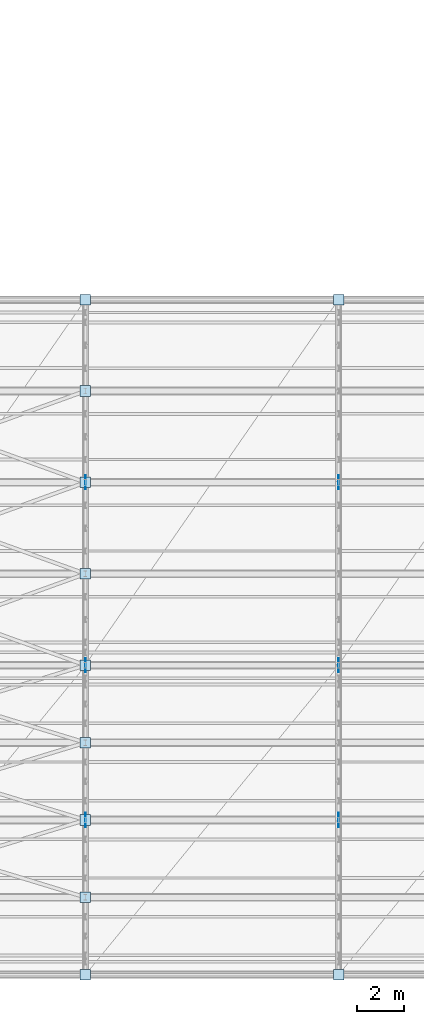
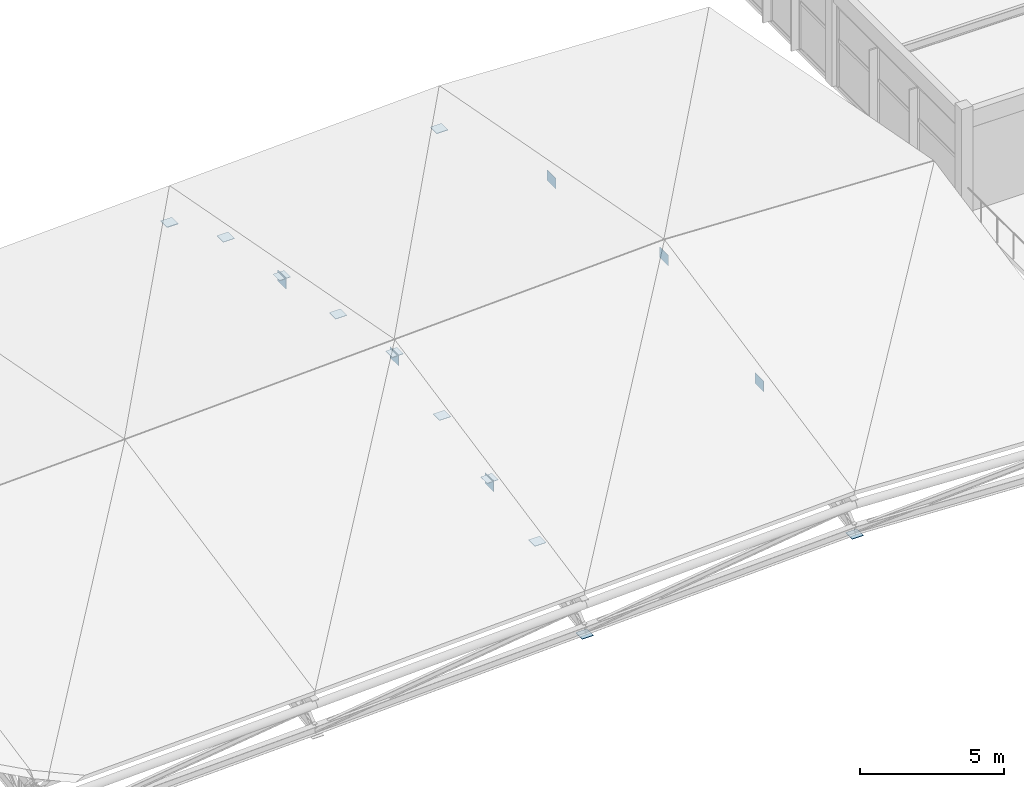
# One storey, part 64 of 89: 17 plates.
"""IFC4 building model written with IfcOpenShell, lengths in metres."""

from ifc_helpers import new_model, si_unit, direction, frame, origin, origin_2d, place, context, subcontext, project, spatial, rectangle, extrude, material, layer, layer_set, type_object, element, save


model = new_model("IFC4")

# Units and contexts
model_context = context("Model", 3, precision=1e-05, world=origin(), true_north=direction((0.0, 1.0)))
body_context = subcontext(model_context, "Body", "Model", "MODEL_VIEW")
ifc_project = project(units=[si_unit("LENGTHUNIT", "METRE"), si_unit("AREAUNIT", "SQUARE_METRE"), si_unit("VOLUMEUNIT", "CUBIC_METRE"), si_unit("PLANEANGLEUNIT", "RADIAN"), si_unit("MASSUNIT", "GRAM", prefix="KILO")], contexts=[model_context])

# Site, building, storey
site_placement = place(None, origin())
site = spatial("IfcSite", under=ifc_project, at=site_placement, CompositionType="ELEMENT")
building_placement = place(site_placement, origin())
building = spatial("IfcBuilding", under=site, at=building_placement, Name="Suirenkawa Promenade Aquatics Centre", CompositionType="ELEMENT")
storey_placement = place(building_placement, frame((0.0, 0.0, 9.60009765625)))
storey = spatial("IfcBuildingStorey", under=building, at=storey_placement, Name="L02", CompositionType="ELEMENT", Elevation=9.60009765625)

# Plates
ifc_material = material(Name="Steel IS 2062 E350 (Grade 350)", Category="steel")
ifc_layer_1 = layer(ifc_material, 0.02392578125, Name="Steel IS 2062 E350 (Grade 350)", Category="steel")
ifc_layer_set_1 = layer_set([ifc_layer_1], Name="Steel IS 2062 E350 (Grade 350)")
plate_type_1 = type_object("IfcPlateType", Name="PLT-BEAR-450x450x24", PredefinedType="SHEET", material=ifc_layer_set_1)
for number, where, z_axis, x_axis, name in (
    (1, (133.199951171875, 0.0, -1.93505859375), (0.0, 0.0, 1.0), (1.0, 0.0, 0.0), "Truss node plate TN-03 PLG-0210"),
    (2, (133.199951171875, 28.800048828125, -1.97509765625), (0.0, 0.0, 1.0), (1.0, 0.0, 0.0), "Truss node plate TN-03 PLG-0211"),
    (3, (144.0, 0.0, -1.485107421875), (0.0, 0.0, 1.0), (1.0, 0.0, 0.0), "Truss node plate TN-03 PLG-0215"),
    (4, (144.0, 28.800048828125, -1.78515625), (0.0, 0.0, 1.0), (1.0, 0.0, 0.0), "Truss node plate TN-03 PLG-0216"),
):
    element("IfcPlate", number, at=place(storey_placement, frame(where, z_axis=z_axis, x_axis=x_axis)), inside=storey, type_object=plate_type_1, Name=name, PredefinedType="SHEET", context=body_context, shape_type="SweptSolid", body=[
        extrude(rectangle(XDim=0.449951171875, YDim=0.449951171875, at=origin_2d()), origin(), (0.0, 0.0, 1.0), 0.02392578125),
    ])
ifc_layer_2 = layer(ifc_material, 0.01611328125, Name="Steel IS 2062 E350 (Grade 350)", Category="steel")
ifc_layer_set_2 = layer_set([ifc_layer_2], Name="Steel IS 2062 E350 (Grade 350)")
plate_type_2 = type_object("IfcPlateType", Name="PLT-GUSSET-600x450x16", PredefinedType="USERDEFINED", material=ifc_layer_set_2)
for number, where, z_axis, x_axis, name in (
    (5, (133.199951171875, 6.60009765625, 0.27978515625), (0.0, 0.0, 1.0), (0.0, 1.0, 0.0), "Truss node plate TN-06 PLG-0212"),
    (6, (133.199951171875, 13.199951171875, 1.60498046875), (0.0, 0.0, 1.0), (0.0, 1.0, 0.0), "Truss node plate TN-06 PLG-0213"),
    (7, (133.199951171875, 21.0, 0.1298828125), (0.0, 0.0, 1.0), (0.0, 1.0, 0.0), "Truss node plate TN-06 PLG-0214"),
    (8, (144.0, 6.60009765625, 0.72998046875), (0.0, 0.0, 1.0), (0.0, 1.0, 0.0), "Truss node plate TN-06 PLG-0217"),
    (9, (144.0, 13.199951171875, 2.0546875), (0.0, 0.0, 1.0), (0.0, 1.0, 0.0), "Truss node plate TN-06 PLG-0218"),
    (10, (144.0, 21.0, 0.580078125), (0.0, 0.0, 1.0), (0.0, 1.0, 0.0), "Truss node plate TN-06 PLG-0219"),
):
    element("IfcPlate", number, at=place(storey_placement, frame(where, z_axis=z_axis, x_axis=x_axis)), inside=storey, type_object=plate_type_2, Name=name, ObjectType="GUSSET", PredefinedType="USERDEFINED", context=body_context, shape_type="SweptSolid", body=[
        extrude(rectangle(XDim=0.60009765625, YDim=0.01611328125, at=origin_2d()), origin(), (0.0, 0.0, 1.0), 0.449951171875),
    ])
for number, where, z_axis, x_axis, name in (
    (11, (133.199951171875, 6.60009765625, 0.65673828125), (0.0, 0.0, 1.0), (1.0, 0.0, 0.0), "Truss node plate TN-06 PLG-0242"),
    (12, (133.199951171875, 3.300048828125, -0.005126953125), (0.0, 0.0, 1.0), (1.0, 0.0, 0.0), "Truss node plate TN-06 PLG-0243"),
    (13, (133.199951171875, 9.89990234375, 1.31982421875), (0.0, 0.0, 1.0), (1.0, 0.0, 0.0), "Truss node plate TN-06 PLG-0246"),
    (14, (133.199951171875, 13.199951171875, 1.98193359375), (0.0, 0.0, 1.0), (1.0, 0.0, 0.0), "Truss node plate TN-06 PLG-0249"),
    (15, (133.199951171875, 17.10009765625, 1.244873046875), (0.0, 0.0, 1.0), (1.0, 0.0, 0.0), "Truss node plate TN-06 PLG-0252"),
    (16, (133.199951171875, 21.0, 0.5068359375), (0.0, 0.0, 1.0), (1.0, 0.0, 0.0), "Truss node plate TN-06 PLG-0255"),
    (17, (133.199951171875, 24.89990234375, -0.230224609375), (0.0, 0.0, 1.0), (1.0, 0.0, 0.0), "Truss node plate TN-06 PLG-0258"),
):
    element("IfcPlate", number, at=place(storey_placement, frame(where, z_axis=z_axis, x_axis=x_axis)), inside=storey, type_object=plate_type_2, Name=name, ObjectType="GUSSET", PredefinedType="USERDEFINED", context=body_context, shape_type="SweptSolid", body=[
        extrude(rectangle(XDim=0.449951171875, YDim=0.449951171875, at=origin_2d()), origin(), (0.0, 0.0, 1.0), 0.01611328125),
    ])

save(model, "model.ifc")
